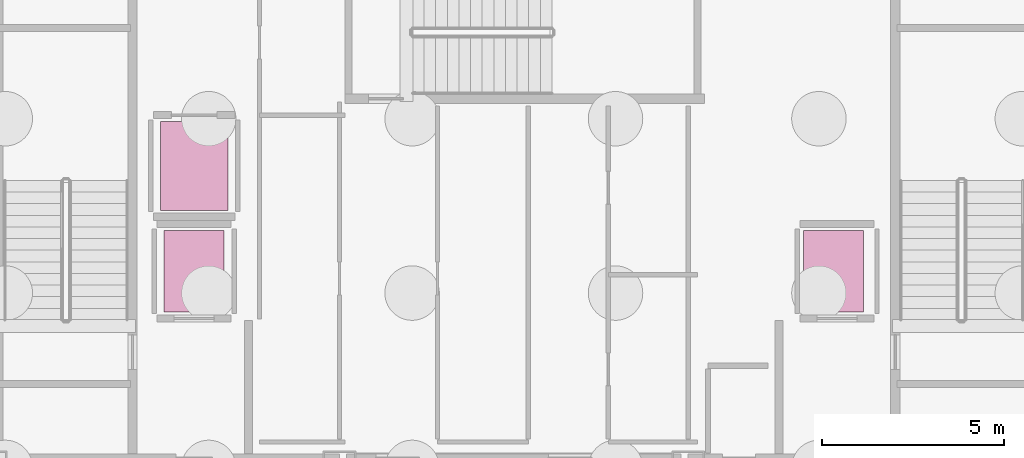
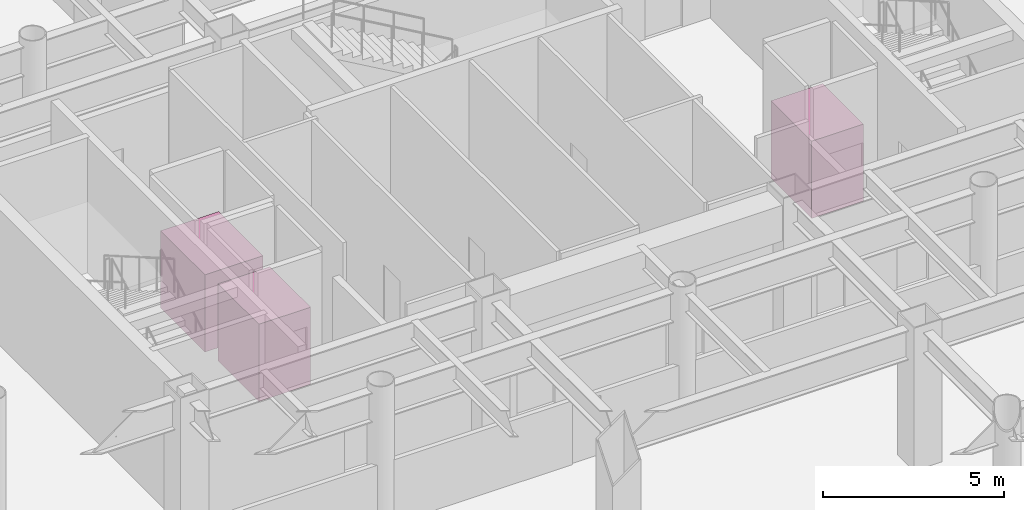
# One storey, part 17 of 17: 3 transport elements.
"""IFC4 building model written with IfcOpenShell, lengths in metres."""

from ifc_helpers import new_model, si_unit, direction, frame, origin, origin_2d, place, context, subcontext, project, spatial, rectangle, extrude, material, type_object, element, save


model = new_model("IFC4")

# Units and contexts
model_context = context("Model", 3, precision=1e-05, world=origin(), true_north=direction((0.0, 1.0)))
body_context = subcontext(model_context, "Body", "Model", "MODEL_VIEW")
ifc_project = project(units=[si_unit("LENGTHUNIT", "METRE"), si_unit("AREAUNIT", "SQUARE_METRE"), si_unit("VOLUMEUNIT", "CUBIC_METRE"), si_unit("PLANEANGLEUNIT", "RADIAN"), si_unit("MASSUNIT", "GRAM", prefix="KILO")], contexts=[model_context])

# Site, building, storey
site_placement = place(None, origin())
site = spatial("IfcSite", under=ifc_project, at=site_placement, CompositionType="ELEMENT")
building_placement = place(site_placement, origin())
building = spatial("IfcBuilding", under=site, at=building_placement, Name="Kallvorn Hotel Tower", CompositionType="ELEMENT")
storey_placement = place(building_placement, frame((0.0, 0.0, -10.199951171875)))
storey = spatial("IfcBuildingStorey", under=building, at=storey_placement, Name="B2", CompositionType="ELEMENT", Elevation=-10.199951171875)

# Transport elements
ifc_material_1 = material(Name="Stainless-steel passenger elevator cab assembly", Category="steel")
transport_element_type_1 = type_object("IfcTransportElementType", Name="LIFT_PASS_1800", PredefinedType="ELEVATOR", material=ifc_material_1)
for number, where, z_axis, x_axis, name in (
    (1, (-8.800048828125, -1.800048828125, 0.0), (0.0, 0.0, 1.0), (1.0, 0.0, 0.0), "Firefighting Lift FL-1"),
    (2, (8.800048828125, -1.800048828125, 0.0), (0.0, 0.0, 1.0), (1.0, 0.0, 0.0), "Firefighting Lift FL-2"),
):
    element("IfcTransportElement", number, at=place(storey_placement, frame(where, z_axis=z_axis, x_axis=x_axis)), inside=storey, type_object=transport_element_type_1, Name=name, PredefinedType="ELEVATOR", context=body_context, shape_type="SweptSolid", body=[
        extrude(rectangle(XDim=1.64990234375, YDim=2.25, at=origin_2d()), origin(), (0.0, 0.0, 1.0), 2.60009765625),
    ])
ifc_material_2 = material(Name="Stainless-steel passenger elevator cab assembly", Category="steel")
transport_element_type_2 = type_object("IfcTransportElementType", Name="LIFT_SERV_2000", PredefinedType="ELEVATOR", material=ifc_material_2)
transport_element_placement = place(storey_placement, frame((-8.800048828125, 1.10009765625, 0.0), z_axis=(0.0, 0.0, 1.0), x_axis=(1.0, 0.0, 0.0)))
element("IfcTransportElement", 3, at=transport_element_placement, inside=storey, type_object=transport_element_type_2, Name="Passenger Lift SV-01", PredefinedType="ELEVATOR", context=body_context, shape_type="SweptSolid", body=[
    extrude(rectangle(XDim=1.85009765625, YDim=2.449951171875, at=origin_2d()), origin(), (0.0, 0.0, 1.0), 2.60009765625),
])

save(model, "model.ifc")
